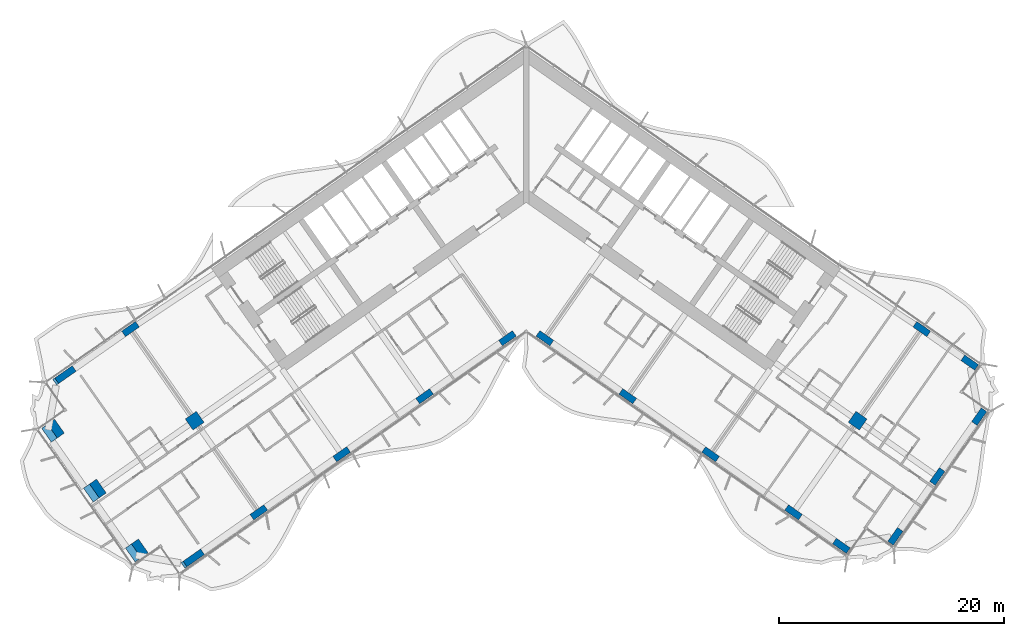
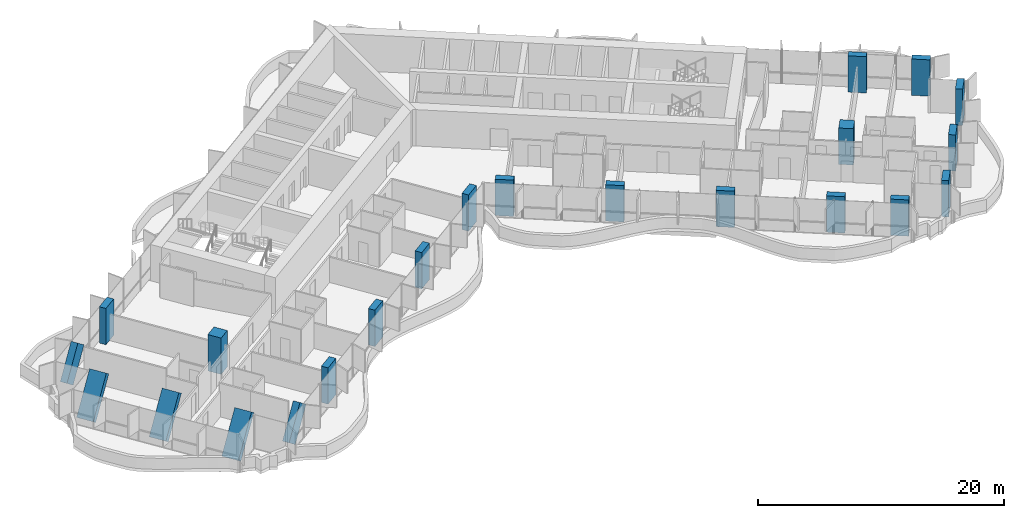
# One storey, part 1 of 23: 22 columns.
"""IFC4 building model written with IfcOpenShell, lengths in metres."""

from ifc_helpers import new_model, si_unit, direction, frame, origin, origin_2d, place, context, subcontext, project, spatial, rectangle, extrude, clip, halfspace, material, material_profile, profile_set, type_object, element, save


model = new_model("IFC4")

# Units and contexts
model_context = context("Model", 3, precision=1e-05, world=origin(), true_north=direction((0.0, 1.0)))
body_context = subcontext(model_context, "Body", "Model", "MODEL_VIEW")
ifc_project = project(units=[si_unit("LENGTHUNIT", "METRE"), si_unit("AREAUNIT", "SQUARE_METRE"), si_unit("VOLUMEUNIT", "CUBIC_METRE"), si_unit("PLANEANGLEUNIT", "RADIAN"), si_unit("MASSUNIT", "GRAM", prefix="KILO")], contexts=[model_context])

# Site, building, storey
site_placement = place(None, origin())
site = spatial("IfcSite", under=ifc_project, at=site_placement, CompositionType="ELEMENT")
building_placement = place(site_placement, origin())
building = spatial("IfcBuilding", under=site, at=building_placement, Name="Tel Ilan Convention Tower", CompositionType="ELEMENT")
storey_placement = place(building_placement, frame((0.0, 0.0, 94.10009765625)))
storey = spatial("IfcBuildingStorey", under=building, at=storey_placement, Name="L19", CompositionType="ELEMENT", Elevation=94.10009765625)

# Columns
ifc_material_1 = material(Name="Concrete C60/75", Category="concrete")
ifc_material_profile_1 = material_profile(ifc_material_1, rectangle(XDim=1.199951171875, YDim=1.199951171875, at=origin_2d()), Name="RC 1200x1200")
ifc_profile_set_1 = profile_set([ifc_material_profile_1], Name="Concrete C60/75")
column_type_1 = type_object("IfcColumnType", Name="Column RC 1200x1200 C60/75", PredefinedType="COLUMN", material=ifc_profile_set_1)
for number, where, z_axis, x_axis, name in (
    (1, (-29.489501953125, -20.648681640625, 0.0), (0.0, 0.0, 1.0), (-0.819152044289, -0.573576436351, 0.0), "L19 column W-M4"),
    (2, (29.489501953125, -20.648681640625, 0.0), (0.0, 0.0, 1.0), (0.819152044289, -0.573576436351, 0.0), "L19 column E-M4"),
):
    element("IfcColumn", number, at=place(storey_placement, frame(where, z_axis=z_axis, x_axis=x_axis)), inside=storey, type_object=column_type_1, Name=name, PredefinedType="COLUMN", context=body_context, shape_type="SweptSolid", body=[
        extrude(rectangle(XDim=1.199951171875, YDim=1.199951171875, at=origin_2d()), origin(), (0.0, 0.0, 1.0), 3.599853515625),
    ])
ifc_material_2 = material(Name="Concrete C60/75", Category="concrete")
ifc_material_profile_2 = material_profile(ifc_material_2, rectangle(XDim=1.5, YDim=0.60009765625, at=origin_2d()), Name="RC 600x1500")
ifc_profile_set_2 = profile_set([ifc_material_profile_2], Name="Concrete C60/75")
column_type_2 = type_object("IfcColumnType", Name="Column RC 600x1500 C60/75", PredefinedType="COLUMN", material=ifc_profile_set_2)
for number, where, z_axis, x_axis, name in (
    (3, (-1.665283203125, -13.312744140625, 0.0), (0.0, 0.0, 1.0), (-0.819152044289, -0.573576436351, 0.0), "L19 column W-F1"),
    (4, (-9.03759765625, -18.474853515625, 0.0), (0.0, 0.0, 1.0), (-0.819152044289, -0.573576436351, 0.0), "L19 column W-F2"),
    (5, (-16.409912109375, -23.63720703125, 0.0), (0.0, 0.0, 1.0), (-0.819152044289, -0.573576436351, 0.0), "L19 column W-F3"),
    (6, (-23.782470703125, -28.79931640625, 0.0), (0.0, 0.0, 1.0), (-0.819152044289, -0.573576436351, 0.0), "L19 column W-F4"),
):
    element("IfcColumn", number, at=place(storey_placement, frame(where, z_axis=z_axis, x_axis=x_axis)), inside=storey, type_object=column_type_2, Name=name, PredefinedType="COLUMN", context=body_context, shape_type="SweptSolid", body=[
        extrude(rectangle(XDim=1.5, YDim=0.60009765625, at=origin_2d()), origin(), (0.0, 0.0, 1.0), 3.599853515625),
    ])
column_1_placement = place(storey_placement, frame((-30.335693359375, -33.387939453125, 0.0), z_axis=(0.502949209434, 0.352179537956, 0.789310880309), x_axis=(-0.646559152129, -0.45273936053, 0.613993757481)))
element("IfcColumn", 7, at=column_1_placement, inside=storey, type_object=column_type_2, Name="L19 column W-FC", PredefinedType="COLUMN", context=body_context, shape_type="Clipping", body=[
    clip(clip(extrude(rectangle(XDim=1.5, YDim=0.60009765625, at=origin_2d()), origin(), (0.0, 0.0, 1.0), 4.560546875), halfspace(frame((0.0, 0.0, 0.583251953125), z_axis=(0.0, 0.0, 1.0), x_axis=(1.0, 0.0, 0.0)), True)), halfspace(frame((0.0, 0.0, 3.977294921875), z_axis=(0.0, 0.0, 1.0), x_axis=(1.0, 0.0, 0.0)), False)),
])
column_2_placement = place(storey_placement, frame((-35.196533203125, -12.498291015625, 0.0), z_axis=(0.0, 0.0, 1.0), x_axis=(-0.819152044289, -0.573576436351, 0.0)))
element("IfcColumn", 8, at=column_2_placement, inside=storey, type_object=column_type_2, Name="L19 column W-B4", PredefinedType="COLUMN", context=body_context, shape_type="SweptSolid", body=[
    extrude(rectangle(XDim=1.5, YDim=0.60009765625, at=origin_2d()), origin(), (0.0, 0.0, 1.0), 3.599853515625),
])
column_3_placement = place(storey_placement, frame((-41.749755859375, -17.086669921875, 0.0), z_axis=(0.502908210177, 0.3521292646, 0.789359432166), x_axis=(-0.646611950122, -0.452748604756, 0.613931337245)))
element("IfcColumn", 9, at=column_3_placement, inside=storey, type_object=column_type_2, Name="L19 column W-BC", PredefinedType="COLUMN", context=body_context, shape_type="Clipping", body=[
    clip(clip(extrude(rectangle(XDim=1.5, YDim=0.60009765625, at=origin_2d()), origin(), (0.0, 0.0, 1.0), 4.560546875), halfspace(frame((0.0, 0.0, 0.583251953125), z_axis=(0.0, 0.0, 1.0), x_axis=(1.0, 0.0, 0.0)), True)), halfspace(frame((0.0, 0.0, 3.97705078125), z_axis=(0.0, 0.0, 1.0), x_axis=(1.0, 0.0, 0.0)), False)),
])
for number, where, z_axis, x_axis, name in (
    (10, (-35.140625, -32.54052734375, 0.0), (0.502933821481, 0.352125233086, 0.789344912846), (-0.573540565604, 0.819177160086, 0.0), "L19 column W-E1"),
    (11, (-38.868896484375, -27.216064453125, 0.0), (0.502933821481, 0.352125233086, 0.789344912846), (-0.573540565604, 0.819177160086, 0.0), "L19 column W-E2"),
    (12, (-42.59716796875, -21.8916015625, 0.0), (0.502933821481, 0.352125233086, 0.789344912846), (-0.573540565604, 0.819177160086, 0.0), "L19 column W-E3"),
):
    element("IfcColumn", number, at=place(storey_placement, frame(where, z_axis=z_axis, x_axis=x_axis)), inside=storey, type_object=column_type_2, Name=name, PredefinedType="COLUMN", context=body_context, shape_type="Clipping", body=[
        clip(clip(extrude(rectangle(XDim=1.5, YDim=0.60009765625, at=origin_2d()), origin(), (0.0, 0.0, 1.0), 4.560791015625), halfspace(frame((0.0, 0.0, 0.2333984375), z_axis=(0.0, 0.0, 1.0), x_axis=(1.0, 0.0, 0.0)), True)), halfspace(frame((0.0, 0.0, 4.327392578125), z_axis=(0.0, 0.0, 1.0), x_axis=(1.0, 0.0, 0.0)), False)),
    ])
for number, where, z_axis, x_axis, name in (
    (13, (1.665283203125, -13.312744140625, 0.0), (0.0, 0.0, 1.0), (0.819152044289, -0.573576436351, 0.0), "L19 column E-F1"),
    (14, (9.03759765625, -18.474853515625, 0.0), (0.0, 0.0, 1.0), (0.819152044289, -0.573576436351, 0.0), "L19 column E-F2"),
    (15, (16.409912109375, -23.63720703125, 0.0), (0.0, 0.0, 1.0), (0.819152044289, -0.573576436351, 0.0), "L19 column E-F3"),
    (16, (23.782470703125, -28.79931640625, 0.0), (0.0, 0.0, 1.0), (0.819152044289, -0.573576436351, 0.0), "L19 column E-F4"),
    (17, (28.0419921875, -31.781982421875, 0.0), (0.0, 0.0, 1.0), (0.819152044289, -0.573576436351, 0.0), "L19 column E-FC"),
    (18, (35.196533203125, -12.498291015625, 0.0), (0.0, 0.0, 1.0), (0.819152044289, -0.573576436351, 0.0), "L19 column E-B4"),
    (19, (39.4560546875, -15.480712890625, 0.0), (0.0, 0.0, 1.0), (0.819152044289, -0.573576436351, 0.0), "L19 column E-BC"),
    (20, (32.846923828125, -30.934814453125, 0.0), (0.0, 0.0, 1.0), (0.573576436351, 0.819152044289, 0.0), "L19 column E-E1"),
    (21, (36.5751953125, -25.610107421875, 0.0), (0.0, 0.0, 1.0), (0.573576436351, 0.819152044289, 0.0), "L19 column E-E2"),
    (22, (40.303466796875, -20.28564453125, 0.0), (0.0, 0.0, 1.0), (0.573576436351, 0.819152044289, 0.0), "L19 column E-E3"),
):
    element("IfcColumn", number, at=place(storey_placement, frame(where, z_axis=z_axis, x_axis=x_axis)), inside=storey, type_object=column_type_2, Name=name, PredefinedType="COLUMN", context=body_context, shape_type="SweptSolid", body=[
        extrude(rectangle(XDim=1.5, YDim=0.60009765625, at=origin_2d()), origin(), (0.0, 0.0, 1.0), 3.599853515625),
    ])

save(model, "model.ifc")
